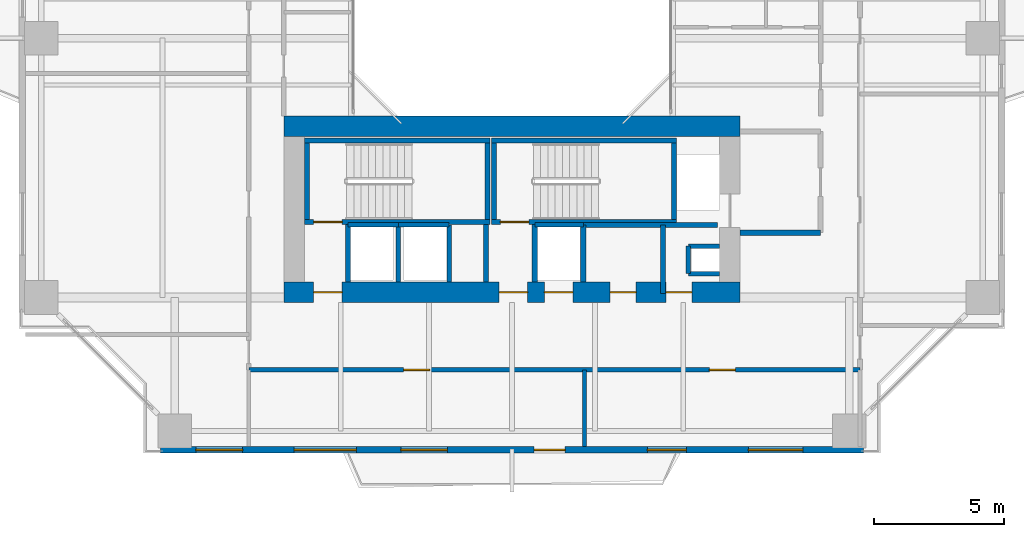
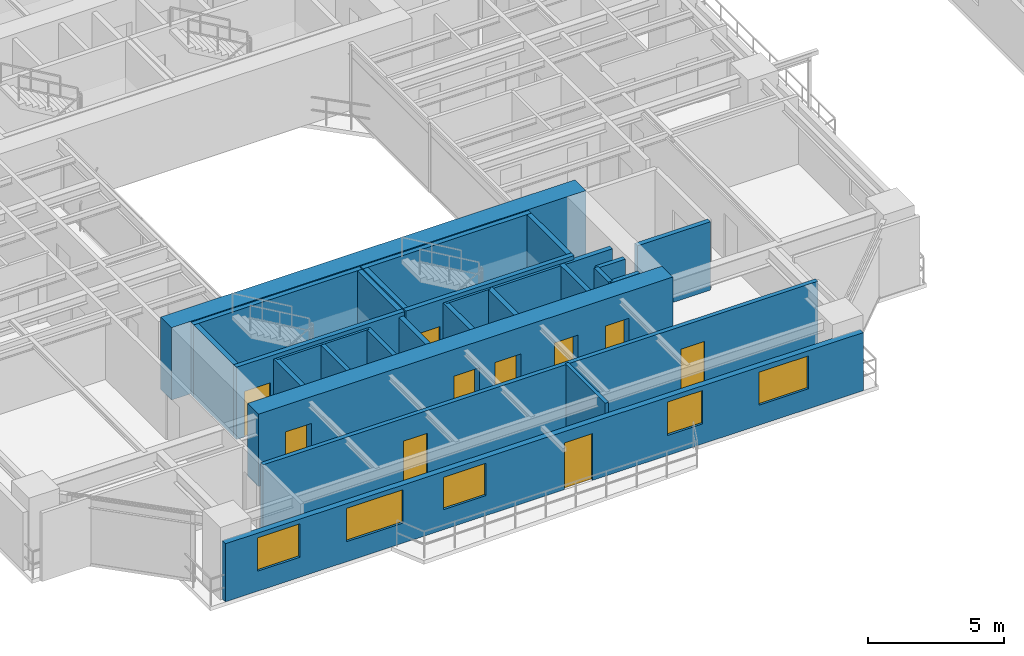
# One storey, part 13 of 23: 28 walls, 10 doors, 5 windows, 15 openings.
"""IFC4 building model written with IfcOpenShell, lengths in metres."""

from ifc_helpers import new_model, si_unit, direction, frame, frame_2d, origin, place, context, subcontext, project, spatial, rectangle, extrude, source, transform, mapped, material, layer, layer_set, type_object, element, fill, save


model = new_model("IFC4")

# Units and contexts
model_context = context("Model", 3, precision=1e-05, world=origin(), true_north=direction((0.0, 1.0)))
body_context = subcontext(model_context, "Body", "Model", "MODEL_VIEW")
ifc_project = project(units=[si_unit("LENGTHUNIT", "METRE"), si_unit("AREAUNIT", "SQUARE_METRE"), si_unit("VOLUMEUNIT", "CUBIC_METRE"), si_unit("PLANEANGLEUNIT", "RADIAN"), si_unit("MASSUNIT", "GRAM", prefix="KILO"), si_unit("THERMODYNAMICTEMPERATUREUNIT", "KELVIN"), si_unit("POWERUNIT", "WATT")], contexts=[model_context])

# Site, building, storey
site_placement = place(None, origin())
site = spatial("IfcSite", under=ifc_project, at=site_placement, CompositionType="ELEMENT")
building_placement = place(site_placement, origin())
building = spatial("IfcBuilding", under=site, at=building_placement, Name="Qiaomeng Ring Towers", CompositionType="ELEMENT")
storey_placement = place(building_placement, frame((0.0, 0.0, 79.5)))
storey = spatial("IfcBuildingStorey", under=building, at=storey_placement, Name="L22", CompositionType="ELEMENT", Elevation=79.5)

# Wall, openings, windows, door
ifc_material_1 = material(Name="Precast concrete C40", Category="concrete")
ifc_layer_1 = layer(ifc_material_1, 0.25, Name="Precast concrete C40")
ifc_layer_set_1 = layer_set([ifc_layer_1], Name="Precast concrete C40")
wall_type_1 = type_object("IfcWallType", Name="ARC-WL-EW1", PredefinedType="STANDARD", material=ifc_layer_set_1)
wall_1_placement = place(storey_placement, frame((5.449951171875, 4.125, 0.0), z_axis=(0.0, 0.0, 1.0), x_axis=(1.0, 0.0, 0.0)))
wall_1 = element("IfcWall", 1, at=wall_1_placement, inside=storey, type_object=wall_type_1, Name="L22 Tower 1 S Exterior Wall", PredefinedType="STANDARD", context=body_context, shape_type="SweptSolid", body=[
    extrude(rectangle(XDim=27.10009765625, YDim=0.25, at=frame_2d((13.550048828125, 0.0))), origin(), (0.0, 0.0, 1.0), 2.610107421875),
])
opening_1_placement = place(wall_1_placement, frame((14.39990234375, 0.0, 0.0)))
opening_1 = element("IfcOpeningElement", 2, at=opening_1_placement, cuts=wall_1, Name="Opening BD1", PredefinedType="OPENING", context=body_context, shape_type="SweptSolid", body=[
    extrude(rectangle(XDim=1.199951171875, YDim=2.10009765625, at=frame_2d((0.60009765625, 1.050048828125))), frame((0.0, 0.135009765625, 0.0), z_axis=(0.0, -1.0, 0.0), x_axis=(1.0, 0.0, 0.0)), (0.0, 0.0, 1.0), 0.27001953125),
])
opening_2_placement = place(wall_1_placement, frame((1.364990234375, 0.0, 0.89990234375)))
opening_2 = element("IfcOpeningElement", 3, at=opening_2_placement, cuts=wall_1, Name="Opening WN1", PredefinedType="OPENING", context=body_context, shape_type="SweptSolid", body=[
    extrude(rectangle(XDim=1.800048828125, YDim=1.5, at=frame_2d((0.89990234375, 0.75))), frame((0.0, 0.135009765625, 0.0), z_axis=(0.0, -1.0, 0.0), x_axis=(1.0, 0.0, 0.0)), (0.0, 0.0, 1.0), 0.27001953125),
])
opening_3_placement = place(wall_1_placement, frame((9.262939453125, 0.0, 0.89990234375)))
opening_3 = element("IfcOpeningElement", 4, at=opening_3_placement, cuts=wall_1, Name="Opening WN1", PredefinedType="OPENING", context=body_context, shape_type="SweptSolid", body=[
    extrude(rectangle(XDim=1.800048828125, YDim=1.449951171875, at=frame_2d((0.89990234375, 0.72509765625))), frame((0.0, 0.135009765625, 0.0), z_axis=(0.0, -1.0, 0.0), x_axis=(1.0, 0.0, 0.0)), (0.0, 0.0, 1.0), 0.27001953125),
])
opening_4_placement = place(wall_1_placement, frame((18.77392578125, 0.0, 0.89990234375)))
opening_4 = element("IfcOpeningElement", 5, at=opening_4_placement, cuts=wall_1, Name="Opening WN2", PredefinedType="OPENING", context=body_context, shape_type="SweptSolid", body=[
    extrude(rectangle(XDim=1.5, YDim=1.5, at=frame_2d((0.75, 0.75))), frame((0.0, 0.135009765625, 0.0), z_axis=(0.0, -1.0, 0.0), x_axis=(1.0, 0.0, 0.0)), (0.0, 0.0, 1.0), 0.27001953125),
])
opening_5_placement = place(wall_1_placement, frame((22.6630859375, 0.0, 0.89990234375)))
opening_5 = element("IfcOpeningElement", 6, at=opening_5_placement, cuts=wall_1, Name="Opening WN4", PredefinedType="OPENING", context=body_context, shape_type="SweptSolid", body=[
    extrude(rectangle(XDim=2.10009765625, YDim=1.47998046875, at=frame_2d((1.050048828125, 0.739990234375))), frame((0.0, 0.135009765625, 0.0), z_axis=(0.0, -1.0, 0.0), x_axis=(1.0, 0.0, 0.0)), (0.0, 0.0, 1.0), 0.27001953125),
])
opening_6_placement = place(wall_1_placement, frame((5.14892578125, 0.0, 0.89990234375)))
opening_6 = element("IfcOpeningElement", 7, at=opening_6_placement, cuts=wall_1, Name="Opening WN6", PredefinedType="OPENING", context=body_context, shape_type="SweptSolid", body=[
    extrude(rectangle(XDim=2.39990234375, YDim=1.5, at=frame_2d((1.199951171875, 0.75))), frame((0.0, 0.135009765625, 0.0), z_axis=(0.0, -1.0, 0.0), x_axis=(1.0, 0.0, 0.0)), (0.0, 0.0, 1.0), 0.27001953125),
])
ifc_material_2 = material(Name="Low-E dark-grey laminated double glazing", Category="glass")
window_type_1 = type_object("IfcWindowType", Name="ARC-WN-4", PartitioningType="TRIPLE_PANEL_VERTICAL", PredefinedType="WINDOW", material=ifc_material_2)
shared_shape_1 = source(origin(), body_context, "Body", "SweptSolid", [
    extrude(rectangle(XDim=2.10009765625, YDim=1.47998046875, at=frame_2d((1.050048828125, 0.739990234375))), frame((0.0, 0.030029296875, 0.0), z_axis=(0.0, -1.0, 0.0), x_axis=(1.0, 0.0, 0.0)), (0.0, 0.0, 1.0), 0.06005859375),
])
window_1_placement = place(opening_5_placement, origin())
window_1 = element("IfcWindow", 8, at=window_1_placement, inside=storey, type_object=window_type_1, Name="L22 Exterior Window WN4", OverallHeight=1.47998046875, OverallWidth=2.10009765625, PartitioningType="TRIPLE_PANEL_VERTICAL", PredefinedType="WINDOW", context=body_context, shape_type="MappedRepresentation", body=[
    mapped(shared_shape_1, transform((0.0, 0.0, 0.0), x_axis=(1.0, 0.0, 0.0), y_axis=(0.0, 1.0, 0.0), z_axis=(0.0, 0.0, 1.0), scale=1.0)),
])
fill(opening_5, window_1)
window_type_2 = type_object("IfcWindowType", Name="ARC-WN-1", PartitioningType="DOUBLE_PANEL_VERTICAL", PredefinedType="WINDOW", material=ifc_material_2)
shared_shape_2 = source(origin(), body_context, "Body", "SweptSolid", [
    extrude(rectangle(XDim=1.800048828125, YDim=1.449951171875, at=frame_2d((0.89990234375, 0.72509765625))), frame((0.0, 0.030029296875, 0.0), z_axis=(0.0, -1.0, 0.0), x_axis=(1.0, 0.0, 0.0)), (0.0, 0.0, 1.0), 0.06005859375),
])
window_2_placement = place(opening_3_placement, origin())
window_2 = element("IfcWindow", 9, at=window_2_placement, inside=storey, type_object=window_type_2, Name="L22 Exterior Window WN1", OverallHeight=1.449951171875, OverallWidth=1.800048828125, PartitioningType="DOUBLE_PANEL_VERTICAL", PredefinedType="WINDOW", context=body_context, shape_type="MappedRepresentation", body=[
    mapped(shared_shape_2, transform((0.0, 0.0, 0.0), x_axis=(1.0, 0.0, 0.0), y_axis=(0.0, 1.0, 0.0), z_axis=(0.0, 0.0, 1.0), scale=1.0)),
])
fill(opening_3, window_2)
door_type_1 = type_object("IfcDoorType", Name="ARC-DR-BD1", OperationType="NOTDEFINED", PredefinedType="DOOR", material=ifc_material_2)
shared_shape_3 = source(origin(), body_context, "Body", "SweptSolid", [
    extrude(rectangle(XDim=1.199951171875, YDim=2.10009765625, at=frame_2d((0.60009765625, 1.050048828125))), frame((0.0, 0.02490234375, 0.0), z_axis=(0.0, -1.0, 0.0), x_axis=(1.0, 0.0, 0.0)), (0.0, 0.0, 1.0), 0.050048828125),
])
door_1_placement = place(opening_1_placement, frame((1.199951171875, 0.0, 0.0), z_axis=(0.0, 0.0, 1.0), x_axis=(-1.0, 0.0, 0.0)))
door_1 = element("IfcDoor", 10, at=door_1_placement, inside=storey, type_object=door_type_1, Name="L22 S Balcony Glazed Door", OperationType="SINGLE_SWING_LEFT", OverallHeight=2.10009765625, OverallWidth=1.199951171875, PredefinedType="DOOR", context=body_context, shape_type="MappedRepresentation", body=[
    mapped(shared_shape_3, transform((0.0, 0.0, 0.0), x_axis=(1.0, 0.0, 0.0), y_axis=(0.0, 1.0, 0.0), z_axis=(0.0, 0.0, 1.0), scale=1.0)),
])
fill(opening_1, door_1)
window_type_3 = type_object("IfcWindowType", Name="ARC-WN-2", PartitioningType="DOUBLE_PANEL_VERTICAL", PredefinedType="WINDOW", material=ifc_material_2)
shared_shape_4 = source(origin(), body_context, "Body", "SweptSolid", [
    extrude(rectangle(XDim=1.5, YDim=1.5, at=frame_2d((0.75, 0.75))), frame((0.0, 0.030029296875, 0.0), z_axis=(0.0, -1.0, 0.0), x_axis=(1.0, 0.0, 0.0)), (0.0, 0.0, 1.0), 0.06005859375),
])
window_3_placement = place(opening_4_placement, origin())
window_3 = element("IfcWindow", 11, at=window_3_placement, inside=storey, type_object=window_type_3, Name="L22 Exterior Window WN2", OverallHeight=1.5, OverallWidth=1.5, PartitioningType="DOUBLE_PANEL_VERTICAL", PredefinedType="WINDOW", context=body_context, shape_type="MappedRepresentation", body=[
    mapped(shared_shape_4, transform((0.0, 0.0, 0.0), x_axis=(1.0, 0.0, 0.0), y_axis=(0.0, 1.0, 0.0), z_axis=(0.0, 0.0, 1.0), scale=1.0)),
])
fill(opening_4, window_3)
window_type_4 = type_object("IfcWindowType", Name="ARC-WN-6", PartitioningType="TRIPLE_PANEL_VERTICAL", PredefinedType="WINDOW", material=ifc_material_2)
shared_shape_5 = source(origin(), body_context, "Body", "SweptSolid", [
    extrude(rectangle(XDim=2.39990234375, YDim=1.5, at=frame_2d((1.199951171875, 0.75))), frame((0.0, 0.030029296875, 0.0), z_axis=(0.0, -1.0, 0.0), x_axis=(1.0, 0.0, 0.0)), (0.0, 0.0, 1.0), 0.06005859375),
])
window_4_placement = place(opening_6_placement, origin())
window_4 = element("IfcWindow", 12, at=window_4_placement, inside=storey, type_object=window_type_4, Name="L22 Exterior Window WN6", OverallHeight=1.5, OverallWidth=2.39990234375, PartitioningType="TRIPLE_PANEL_VERTICAL", PredefinedType="WINDOW", context=body_context, shape_type="MappedRepresentation", body=[
    mapped(shared_shape_5, transform((0.0, 0.0, 0.0), x_axis=(1.0, 0.0, 0.0), y_axis=(0.0, 1.0, 0.0), z_axis=(0.0, 0.0, 1.0), scale=1.0)),
])
fill(opening_6, window_4)
shared_shape_6 = source(origin(), body_context, "Body", "SweptSolid", [
    extrude(rectangle(XDim=1.800048828125, YDim=1.5, at=frame_2d((0.89990234375, 0.75))), frame((0.0, 0.030029296875, 0.0), z_axis=(0.0, -1.0, 0.0), x_axis=(1.0, 0.0, 0.0)), (0.0, 0.0, 1.0), 0.06005859375),
])
window_5_placement = place(opening_2_placement, origin())
window_5 = element("IfcWindow", 13, at=window_5_placement, inside=storey, type_object=window_type_2, Name="L22 Exterior Window WN6", OverallHeight=1.5, OverallWidth=1.800048828125, PartitioningType="TRIPLE_PANEL_VERTICAL", PredefinedType="WINDOW", context=body_context, shape_type="MappedRepresentation", body=[
    mapped(shared_shape_6, transform((0.0, 0.0, 0.0), x_axis=(1.0, 0.0, 0.0), y_axis=(0.0, 1.0, 0.0), z_axis=(0.0, 0.0, 1.0), scale=1.0)),
])
fill(opening_2, window_5)

# Walls
ifc_material_3 = material(Name="Autoclaved aerated concrete block", Category="concrete")
ifc_layer_2 = layer(ifc_material_3, 0.199951171875, Name="Autoclaved aerated concrete block")
ifc_layer_set_2 = layer_set([ifc_layer_2], Name="Autoclaved aerated concrete block")
wall_type_2 = type_object("IfcWallType", Name="ARC-WL-PW1", PredefinedType="PARTITIONING", material=ifc_layer_set_2)
wall_2_placement = place(storey_placement, frame((27.800048828125, 12.5, 0.0), z_axis=(0.0, 0.0, 1.0), x_axis=(1.0, 0.0, 0.0)))
element("IfcWall", 14, at=wall_2_placement, inside=storey, type_object=wall_type_2, Name="L22 Interior Wall PW1", PredefinedType="PARTITIONING", context=body_context, shape_type="SweptSolid", body=[
    extrude(rectangle(XDim=3.099853515625, YDim=0.199951171875, at=frame_2d((1.5498046875, 0.0))), origin(), (0.0, 0.0, 1.0), 3.070068359375),
])
for number, where, z_axis, x_axis, name in (
    (15, (12.679931640625, 10.60009765625, 0.0), (0.0, 0.0, 1.0), (0.0, 1.0, 0.0), "L22 Interior Wall PW1"),
    (16, (18.0, 10.60009765625, 0.0), (0.0, 0.0, 1.0), (0.0, 1.0, 0.0), "L22 Interior Wall PW1"),
    (17, (19.8798828125, 10.60009765625, 0.0), (0.0, 0.0, 1.0), (0.0, 1.0, 0.0), "L22 Interior Wall PW1"),
):
    element("IfcWall", number, at=place(storey_placement, frame(where, z_axis=z_axis, x_axis=x_axis)), inside=storey, type_object=wall_type_2, Name=name, PredefinedType="PARTITIONING", context=body_context, shape_type="SweptSolid", body=[
        extrude(rectangle(XDim=2.2099609375, YDim=0.199951171875, at=frame_2d((1.10498046875, 0.0))), origin(), (0.0, 0.0, 1.0), 3.070068359375),
    ])
wall_3_placement = place(storey_placement, frame((24.820068359375, 10.14990234375, 0.0), z_axis=(0.0, 0.0, 1.0), x_axis=(0.0, 1.0, 0.0)))
element("IfcWall", 18, at=wall_3_placement, inside=storey, type_object=wall_type_2, Name="L22 Interior Wall PW1", PredefinedType="PARTITIONING", context=body_context, shape_type="SweptSolid", body=[
    extrude(rectangle(XDim=2.650146484375, YDim=0.199951171875, at=frame_2d((1.3251953125, 0.0))), origin(), (0.0, 0.0, 1.0), 3.070068359375),
])
wall_4_placement = place(storey_placement, frame((21.75, 10.60009765625, 0.0), z_axis=(0.0, 0.0, 1.0), x_axis=(0.0, 1.0, 0.0)))
element("IfcWall", 19, at=wall_4_placement, inside=storey, type_object=wall_type_2, Name="L22 Interior Wall PW1", PredefinedType="PARTITIONING", context=body_context, shape_type="SweptSolid", body=[
    extrude(rectangle(XDim=2.199951171875, YDim=0.199951171875, at=frame_2d((1.10009765625, 0.0))), origin(), (0.0, 0.0, 1.0), 3.070068359375),
])
wall_5_placement = place(storey_placement, frame((21.75, 12.800048828125, 0.0), z_axis=(0.0, 0.0, 1.0), x_axis=(1.0, 0.0, 0.0)))
element("IfcWall", 20, at=wall_5_placement, inside=storey, type_object=wall_type_2, Name="L22 Interior Wall PW1", PredefinedType="PARTITIONING", context=body_context, shape_type="SweptSolid", body=[
    extrude(rectangle(XDim=5.169921875, YDim=0.199951171875, at=frame_2d((2.5849609375, 0.0))), origin(), (0.0, 0.0, 1.0), 3.070068359375),
])

# Wall, openings, doors
ifc_layer_3 = layer(ifc_material_3, 0.179931640625, Name="Autoclaved aerated concrete block")
ifc_layer_set_3 = layer_set([ifc_layer_3], Name="Autoclaved aerated concrete block")
wall_type_3 = type_object("IfcWallType", Name="ARC-WL-PW2", PredefinedType="PARTITIONING", material=ifc_layer_set_3)
wall_6_placement = place(storey_placement, frame((8.85009765625, 7.2099609375, 0.0), z_axis=(0.0, 0.0, 1.0), x_axis=(1.0, 0.0, 0.0)))
wall_6 = element("IfcWall", 21, at=wall_6_placement, inside=storey, type_object=wall_type_3, Name="L22 Interior Wall PW2", PredefinedType="PARTITIONING", context=body_context, shape_type="SweptSolid", body=[
    extrude(rectangle(XDim=23.56982421875, YDim=0.179931640625, at=frame_2d((11.784912109375, 0.0))), origin(), (0.0, 0.0, 1.0), 3.070068359375),
])
opening_7_placement = place(wall_6_placement, frame((5.97509765625, 0.0, 0.0)))
opening_7 = element("IfcOpeningElement", 22, at=opening_7_placement, cuts=wall_6, Name="Opening FD4", PredefinedType="OPENING", context=body_context, shape_type="SweptSolid", body=[
    extrude(rectangle(XDim=1.0, YDim=2.050048828125, at=frame_2d((0.5, 1.02490234375))), frame((0.0, 0.099853515625, 0.0), z_axis=(0.0, -1.0, 0.0), x_axis=(1.0, 0.0, 0.0)), (0.0, 0.0, 1.0), 0.199951171875),
])
opening_8_placement = place(wall_6_placement, frame((17.760009765625, 0.0, 0.0)))
opening_8 = element("IfcOpeningElement", 23, at=opening_8_placement, cuts=wall_6, Name="Opening FD4", PredefinedType="OPENING", context=body_context, shape_type="SweptSolid", body=[
    extrude(rectangle(XDim=1.0, YDim=2.050048828125, at=frame_2d((0.5, 1.02490234375))), frame((0.0, 0.099853515625, 0.0), z_axis=(0.0, -1.0, 0.0), x_axis=(1.0, 0.0, 0.0)), (0.0, 0.0, 1.0), 0.199951171875),
])
ifc_material_4 = material(Name="Engineered fire-rated oak timber", Category="wood")
door_type_2 = type_object("IfcDoorType", Name="ARC-DR-FD4", OperationType="NOTDEFINED", PredefinedType="DOOR", material=ifc_material_4)
shared_shape_7 = source(origin(), body_context, "Body", "SweptSolid", [
    extrude(rectangle(XDim=1.0, YDim=2.050048828125, at=frame_2d((0.5, 1.02490234375))), frame((0.0, 0.02490234375, 0.0), z_axis=(0.0, -1.0, 0.0), x_axis=(1.0, 0.0, 0.0)), (0.0, 0.0, 1.0), 0.050048828125),
])
door_2_placement = place(opening_7_placement, origin())
door_2 = element("IfcDoor", 24, at=door_2_placement, inside=storey, type_object=door_type_2, Name="L22 Door FD4", OperationType="SINGLE_SWING_LEFT", OverallHeight=2.050048828125, OverallWidth=1.0, PredefinedType="DOOR", context=body_context, shape_type="MappedRepresentation", body=[
    mapped(shared_shape_7, transform((0.0, 0.0, 0.0), x_axis=(1.0, 0.0, 0.0), y_axis=(0.0, 1.0, 0.0), z_axis=(0.0, 0.0, 1.0), scale=1.0)),
])
fill(opening_7, door_2)
door_3_placement = place(opening_8_placement, origin())
door_3 = element("IfcDoor", 25, at=door_3_placement, inside=storey, type_object=door_type_2, Name="L22 Door FD4", OperationType="SINGLE_SWING_RIGHT", OverallHeight=2.050048828125, OverallWidth=1.0, PredefinedType="DOOR", context=body_context, shape_type="MappedRepresentation", body=[
    mapped(shared_shape_7, transform((0.0, 0.0, 0.0), x_axis=(1.0, 0.0, 0.0), y_axis=(0.0, 1.0, 0.0), z_axis=(0.0, 0.0, 1.0), scale=1.0)),
])
fill(opening_8, door_3)

# Walls
ifc_material_5 = material(Name="Gypsum fireboard steel-stud partition", Category="steel")
ifc_layer_4 = layer(ifc_material_5, 0.14990234375, Name="Gypsum fireboard steel-stud partition")
ifc_layer_set_4 = layer_set([ifc_layer_4], Name="Gypsum fireboard steel-stud partition")
wall_type_4 = type_object("IfcWallType", Name="ARC-WL-PW3", PredefinedType="PARTITIONING", material=ifc_layer_set_4)
wall_7_placement = place(storey_placement, frame((21.800048828125, 4.25, 0.0), z_axis=(0.0, 0.0, 1.0), x_axis=(0.0, 1.0, 0.0)))
element("IfcWall", 26, at=wall_7_placement, inside=storey, type_object=wall_type_4, Name="L22 Interior Wall PW3", PredefinedType="PARTITIONING", context=body_context, shape_type="SweptSolid", body=[
    extrude(rectangle(XDim=2.9599609375, YDim=0.14990234375, at=frame_2d((1.47998046875, 0.0))), origin(), (0.0, 0.0, 1.0), 3.070068359375),
])
ifc_material_6 = material(Name="Concrete C40", Category="concrete")
ifc_layer_5 = layer(ifc_material_6, 0.199951171875, Name="Concrete C40")
ifc_layer_set_5 = layer_set([ifc_layer_5], Name="Concrete C40")
wall_type_5 = type_object("IfcWallType", Name="STR-WL-STSHAFT", PredefinedType="SHEAR", material=ifc_layer_set_5)
wall_8_placement = place(storey_placement, frame((12.679931640625, 12.800048828125, 0.0), z_axis=(0.0, 0.0, 1.0), x_axis=(1.0, 0.0, 0.0)))
element("IfcWall", 27, at=wall_8_placement, inside=storey, type_object=wall_type_5, Name="L22 Lift LP6 Shaft Back Wall", PredefinedType="SHEAR", context=body_context, shape_type="SweptSolid", body=[
    extrude(rectangle(XDim=1.940185546875, YDim=0.179931640625, at=frame_2d((0.97021484375, 0.0))), origin(), (0.0, 0.0, 1.0), 3.070068359375),
])
wall_9_placement = place(storey_placement, frame((14.6201171875, 10.60009765625, 0.0), z_axis=(0.0, 0.0, 1.0), x_axis=(0.0, 1.0, 0.0)))
element("IfcWall", 28, at=wall_9_placement, inside=storey, type_object=wall_type_5, Name="L22 Lift LP6-LP4 Shaft Divider Wall", PredefinedType="SHEAR", context=body_context, shape_type="SweptSolid", body=[
    extrude(rectangle(XDim=2.199951171875, YDim=0.179931640625, at=frame_2d((1.10009765625, 0.0))), origin(), (0.0, 0.0, 1.0), 3.070068359375),
])
wall_10_placement = place(storey_placement, frame((25.800048828125, 10.919921875, 0.0), z_axis=(0.0, 0.0, 1.0), x_axis=(0.0, 1.0, 0.0)))
element("IfcWall", 29, at=wall_10_placement, inside=storey, type_object=wall_type_5, Name="L22 Riser RSR1 West Shaft Wall S", PredefinedType="SHEAR", context=body_context, shape_type="SweptSolid", body=[
    extrude(rectangle(XDim=1.06005859375, YDim=0.179931640625, at=frame_2d((0.530029296875, 0.0))), origin(), (0.0, 0.0, 1.0), 3.070068359375),
])
for number, where, z_axis, x_axis, name in (
    (30, (25.800048828125, 11.97998046875, 0.0), (0.0, 0.0, 1.0), (1.0, 0.0, 0.0), "L22 Riser RSR1 North Shaft Wall S"),
    (31, (25.800048828125, 10.919921875, 0.0), (0.0, 0.0, 1.0), (1.0, 0.0, 0.0), "L22 Riser RSR1 South Shaft Wall S"),
):
    element("IfcWall", number, at=place(storey_placement, frame(where, z_axis=z_axis, x_axis=x_axis)), inside=storey, type_object=wall_type_5, Name=name, PredefinedType="SHEAR", context=body_context, shape_type="SweptSolid", body=[
        extrude(rectangle(XDim=1.199951171875, YDim=0.179931640625, at=frame_2d((0.60009765625, 0.0))), origin(), (0.0, 0.0, 1.0), 3.070068359375),
    ])
wall_11_placement = place(storey_placement, frame((14.6201171875, 12.800048828125, 0.0), z_axis=(0.0, 0.0, 1.0), x_axis=(1.0, 0.0, 0.0)))
element("IfcWall", 32, at=wall_11_placement, inside=storey, type_object=wall_type_5, Name="L22 Lift LP4 Shaft Back Wall", PredefinedType="SHEAR", context=body_context, shape_type="SweptSolid", body=[
    extrude(rectangle(XDim=1.9599609375, YDim=0.179931640625, at=frame_2d((0.97998046875, 0.0))), origin(), (0.0, 0.0, 1.0), 3.070068359375),
])
wall_12_placement = place(storey_placement, frame((16.580078125, 10.60009765625, 0.0), z_axis=(0.0, 0.0, 1.0), x_axis=(0.0, 1.0, 0.0)))
element("IfcWall", 33, at=wall_12_placement, inside=storey, type_object=wall_type_5, Name="L22 Lift LP4 East Shaft Wall", PredefinedType="SHEAR", context=body_context, shape_type="SweptSolid", body=[
    extrude(rectangle(XDim=2.199951171875, YDim=0.179931640625, at=frame_2d((1.10009765625, 0.0))), origin(), (0.0, 0.0, 1.0), 3.070068359375),
])
wall_13_placement = place(storey_placement, frame((19.8798828125, 12.800048828125, 0.0), z_axis=(0.0, 0.0, 1.0), x_axis=(1.0, 0.0, 0.0)))
element("IfcWall", 34, at=wall_13_placement, inside=storey, type_object=wall_type_5, Name="L22 Lift LP2 Shaft Back Wall", PredefinedType="SHEAR", context=body_context, shape_type="SweptSolid", body=[
    extrude(rectangle(XDim=1.8701171875, YDim=0.179931640625, at=frame_2d((0.93505859375, 0.0))), origin(), (0.0, 0.0, 1.0), 3.070068359375),
])

# Wall, opening, door
wall_14_placement = place(storey_placement, frame((11.0, 12.909912109375, 0.0), z_axis=(0.0, 0.0, 1.0), x_axis=(1.0, 0.0, 0.0)))
wall_14 = element("IfcWall", 35, at=wall_14_placement, inside=storey, type_object=wall_type_5, Name="L22 Stair ST3 South Shaft Shear Wall", PredefinedType="SHEAR", context=body_context, shape_type="SweptSolid", body=[
    extrude(rectangle(XDim=7.14990234375, YDim=0.199951171875, at=frame_2d((3.574951171875, 0.0))), origin(), (0.0, 0.0, 1.0), 3.25),
])
opening_9_placement = place(wall_14_placement, frame((0.35009765625, 0.0, 0.0)))
opening_9 = element("IfcOpeningElement", 36, at=opening_9_placement, cuts=wall_14, Name="Opening FD3", PredefinedType="OPENING", context=body_context, shape_type="SweptSolid", body=[
    extrude(rectangle(XDim=1.10009765625, YDim=2.050048828125, at=frame_2d((0.550048828125, 1.02490234375))), frame((0.0, 0.10986328125, 0.0), z_axis=(0.0, -1.0, 0.0), x_axis=(1.0, 0.0, 0.0)), (0.0, 0.0, 1.0), 0.219970703125),
])
ifc_material_7 = material(Name="Galvanised steel", Category="steel")
door_type_3 = type_object("IfcDoorType", Name="ARC-DR-FD3", OperationType="NOTDEFINED", PredefinedType="DOOR", material=ifc_material_7)
shared_shape_8 = source(origin(), body_context, "Body", "SweptSolid", [
    extrude(rectangle(XDim=1.10009765625, YDim=2.050048828125, at=frame_2d((0.550048828125, 1.02490234375))), frame((0.0, 0.02490234375, 0.0), z_axis=(0.0, -1.0, 0.0), x_axis=(1.0, 0.0, 0.0)), (0.0, 0.0, 1.0), 0.050048828125),
])
door_4_placement = place(opening_9_placement, frame((1.10009765625, 0.0, 0.0), z_axis=(0.0, 0.0, 1.0), x_axis=(-1.0, 0.0, 0.0)))
door_4 = element("IfcDoor", 37, at=door_4_placement, inside=storey, type_object=door_type_3, Name="L22 Stair ST3 Exit Door", OperationType="SINGLE_SWING_LEFT", OverallHeight=2.050048828125, OverallWidth=1.10009765625, PredefinedType="DOOR", context=body_context, shape_type="MappedRepresentation", body=[
    mapped(shared_shape_8, transform((0.0, 0.0, 0.0), x_axis=(1.0, 0.0, 0.0), y_axis=(0.0, 1.0, 0.0), z_axis=(0.0, 0.0, 1.0), scale=1.0)),
])
fill(opening_9, door_4)

# Walls
wall_15_placement = place(storey_placement, frame((11.0, 16.050048828125, 0.0), z_axis=(0.0, 0.0, 1.0), x_axis=(1.0, 0.0, 0.0)))
element("IfcWall", 38, at=wall_15_placement, inside=storey, type_object=wall_type_5, Name="L22 Stair ST3 North Shaft Shear Wall", PredefinedType="SHEAR", context=body_context, shape_type="SweptSolid", body=[
    extrude(rectangle(XDim=7.14990234375, YDim=0.199951171875, at=frame_2d((3.574951171875, 0.0))), origin(), (0.0, 0.0, 1.0), 3.25),
])
for number, where, z_axis, x_axis, name in (
    (39, (11.10009765625, 13.010009765625, 0.0), (0.0, 0.0, 1.0), (0.0, 1.0, 0.0), "L22 Stair ST3 West Shaft Shear Wall"),
    (40, (18.050048828125, 13.010009765625, 0.0), (0.0, 0.0, 1.0), (0.0, 1.0, 0.0), "L22 Stair ST3 East Shaft Shear Wall"),
):
    element("IfcWall", number, at=place(storey_placement, frame(where, z_axis=z_axis, x_axis=x_axis)), inside=storey, type_object=wall_type_5, Name=name, PredefinedType="SHEAR", context=body_context, shape_type="SweptSolid", body=[
        extrude(rectangle(XDim=2.93994140625, YDim=0.199951171875, at=frame_2d((1.469970703125, 0.0))), origin(), (0.0, 0.0, 1.0), 3.25),
    ])

# Wall, opening, door
wall_16_placement = place(storey_placement, frame((18.199951171875, 12.909912109375, 0.0), z_axis=(0.0, 0.0, 1.0), x_axis=(1.0, 0.0, 0.0)))
wall_16 = element("IfcWall", 41, at=wall_16_placement, inside=storey, type_object=wall_type_5, Name="L22 Stair ST4 South Shaft Shear Wall", PredefinedType="SHEAR", context=body_context, shape_type="SweptSolid", body=[
    extrude(rectangle(XDim=7.150146484375, YDim=0.199951171875, at=frame_2d((3.5751953125, 0.0))), origin(), (0.0, 0.0, 1.0), 3.25),
])
opening_10_placement = place(wall_16_placement, frame((0.35009765625, 0.0, 0.0)))
opening_10 = element("IfcOpeningElement", 42, at=opening_10_placement, cuts=wall_16, Name="Opening FD3", PredefinedType="OPENING", context=body_context, shape_type="SweptSolid", body=[
    extrude(rectangle(XDim=1.10009765625, YDim=2.050048828125, at=frame_2d((0.550048828125, 1.02490234375))), frame((0.0, 0.10986328125, 0.0), z_axis=(0.0, -1.0, 0.0), x_axis=(1.0, 0.0, 0.0)), (0.0, 0.0, 1.0), 0.219970703125),
])
door_5_placement = place(opening_10_placement, frame((1.10009765625, 0.0, 0.0), z_axis=(0.0, 0.0, 1.0), x_axis=(-1.0, 0.0, 0.0)))
door_5 = element("IfcDoor", 43, at=door_5_placement, inside=storey, type_object=door_type_3, Name="L22 Stair ST4 Exit Door", OperationType="SINGLE_SWING_LEFT", OverallHeight=2.050048828125, OverallWidth=1.10009765625, PredefinedType="DOOR", context=body_context, shape_type="MappedRepresentation", body=[
    mapped(shared_shape_8, transform((0.0, 0.0, 0.0), x_axis=(1.0, 0.0, 0.0), y_axis=(0.0, 1.0, 0.0), z_axis=(0.0, 0.0, 1.0), scale=1.0)),
])
fill(opening_10, door_5)

# Walls
wall_17_placement = place(storey_placement, frame((18.199951171875, 16.050048828125, 0.0), z_axis=(0.0, 0.0, 1.0), x_axis=(1.0, 0.0, 0.0)))
element("IfcWall", 44, at=wall_17_placement, inside=storey, type_object=wall_type_5, Name="L22 Stair ST4 North Shaft Shear Wall", PredefinedType="SHEAR", context=body_context, shape_type="SweptSolid", body=[
    extrude(rectangle(XDim=7.150146484375, YDim=0.199951171875, at=frame_2d((3.5751953125, 0.0))), origin(), (0.0, 0.0, 1.0), 3.25),
])
for number, where, z_axis, x_axis, name in (
    (45, (18.300048828125, 13.010009765625, 0.0), (0.0, 0.0, 1.0), (0.0, 1.0, 0.0), "L22 Stair ST4 West Shaft Shear Wall"),
    (46, (25.25, 13.010009765625, 0.0), (0.0, 0.0, 1.0), (0.0, 1.0, 0.0), "L22 Stair ST4 East Shaft Shear Wall"),
):
    element("IfcWall", number, at=place(storey_placement, frame(where, z_axis=z_axis, x_axis=x_axis)), inside=storey, type_object=wall_type_5, Name=name, PredefinedType="SHEAR", context=body_context, shape_type="SweptSolid", body=[
        extrude(rectangle(XDim=2.93994140625, YDim=0.199951171875, at=frame_2d((1.469970703125, 0.0))), origin(), (0.0, 0.0, 1.0), 3.25),
    ])

# Wall, openings, doors
ifc_material_8 = material(Name="Concrete C60", Category="concrete")
ifc_layer_6 = layer(ifc_material_8, 0.800048828125, Name="Concrete C60")
ifc_layer_set_6 = layer_set([ifc_layer_6], Name="Concrete C60")
wall_type_6 = type_object("IfcWallType", Name="STR-WL-SW1", PredefinedType="SHEAR", material=ifc_layer_set_6)
wall_18_placement = place(storey_placement, frame((10.199951171875, 10.199951171875, 0.0), z_axis=(0.0, 0.0, 1.0), x_axis=(1.0, 0.0, 0.0)))
wall_18 = element("IfcWall", 47, at=wall_18_placement, inside=storey, type_object=wall_type_6, Name="L22 T1SC south core shear wall", PredefinedType="SHEAR", context=body_context, shape_type="SweptSolid", body=[
    extrude(rectangle(XDim=17.60009765625, YDim=0.800048828125, at=frame_2d((8.800048828125, 0.0))), origin(), (0.0, 0.0, 1.0), 3.25),
])
opening_11_placement = place(wall_18_placement, frame((1.14990234375, 0.0, 0.0)))
opening_11 = element("IfcOpeningElement", 48, at=opening_11_placement, cuts=wall_18, Name="Opening FD3", PredefinedType="OPENING", context=body_context, shape_type="SweptSolid", body=[
    extrude(rectangle(XDim=1.10009765625, YDim=2.050048828125, at=frame_2d((0.550048828125, 1.02490234375))), frame((0.0, 0.409912109375, 0.0), z_axis=(0.0, -1.0, 0.0), x_axis=(1.0, 0.0, 0.0)), (0.0, 0.0, 1.0), 0.820068359375),
])
opening_12_placement = place(wall_18_placement, frame((8.300048828125, 0.0, 0.0)))
opening_12 = element("IfcOpeningElement", 49, at=opening_12_placement, cuts=wall_18, Name="Opening FD3", PredefinedType="OPENING", context=body_context, shape_type="SweptSolid", body=[
    extrude(rectangle(XDim=1.10009765625, YDim=2.050048828125, at=frame_2d((0.550048828125, 1.02490234375))), frame((0.0, 0.409912109375, 0.0), z_axis=(0.0, -1.0, 0.0), x_axis=(1.0, 0.0, 0.0)), (0.0, 0.0, 1.0), 0.820068359375),
])
opening_13_placement = place(wall_18_placement, frame((10.050048828125, 0.0, 0.0)))
opening_13 = element("IfcOpeningElement", 50, at=opening_13_placement, cuts=wall_18, Name="Opening LD1", PredefinedType="OPENING", context=body_context, shape_type="SweptSolid", body=[
    extrude(rectangle(XDim=1.10009765625, YDim=2.050048828125, at=frame_2d((0.550048828125, 1.02490234375))), frame((0.0, 0.409912109375, 0.0), z_axis=(0.0, -1.0, 0.0), x_axis=(1.0, 0.0, 0.0)), (0.0, 0.0, 1.0), 0.820068359375),
])
opening_14_placement = place(wall_18_placement, frame((14.739990234375, 0.0, 0.0)))
opening_14 = element("IfcOpeningElement", 51, at=opening_14_placement, cuts=wall_18, Name="Opening FD1", PredefinedType="OPENING", context=body_context, shape_type="SweptSolid", body=[
    extrude(rectangle(XDim=1.0, YDim=2.050048828125, at=frame_2d((0.5, 1.02490234375))), frame((0.0, 0.409912109375, 0.0), z_axis=(0.0, -1.0, 0.0), x_axis=(1.0, 0.0, 0.0)), (0.0, 0.0, 1.0), 0.820068359375),
])
opening_15_placement = place(wall_18_placement, frame((12.5849609375, 0.0, 0.0)))
opening_15 = element("IfcOpeningElement", 52, at=opening_15_placement, cuts=wall_18, Name="Opening FD1", PredefinedType="OPENING", context=body_context, shape_type="SweptSolid", body=[
    extrude(rectangle(XDim=1.0, YDim=2.050048828125, at=frame_2d((0.5, 1.02490234375))), frame((0.0, 0.409912109375, 0.0), z_axis=(0.0, -1.0, 0.0), x_axis=(1.0, 0.0, 0.0)), (0.0, 0.0, 1.0), 0.820068359375),
])
door_6_placement = place(opening_11_placement, origin())
door_6 = element("IfcDoor", 53, at=door_6_placement, inside=storey, type_object=door_type_3, Name="L22 Stair ST3 Lobby Door", OperationType="SINGLE_SWING_RIGHT", OverallHeight=2.050048828125, OverallWidth=1.10009765625, PredefinedType="DOOR", context=body_context, shape_type="MappedRepresentation", body=[
    mapped(shared_shape_8, transform((0.0, 0.0, 0.0), x_axis=(1.0, 0.0, 0.0), y_axis=(0.0, 1.0, 0.0), z_axis=(0.0, 0.0, 1.0), scale=1.0)),
])
fill(opening_11, door_6)
door_7_placement = place(opening_12_placement, origin())
door_7 = element("IfcDoor", 54, at=door_7_placement, inside=storey, type_object=door_type_3, Name="L22 Stair ST4 Lobby Door", OperationType="SINGLE_SWING_RIGHT", OverallHeight=2.050048828125, OverallWidth=1.10009765625, PredefinedType="DOOR", context=body_context, shape_type="MappedRepresentation", body=[
    mapped(shared_shape_8, transform((0.0, 0.0, 0.0), x_axis=(1.0, 0.0, 0.0), y_axis=(0.0, 1.0, 0.0), z_axis=(0.0, 0.0, 1.0), scale=1.0)),
])
fill(opening_12, door_7)
ifc_material_9 = material(Name="Stainless steel 316", Category="steel")
door_type_4 = type_object("IfcDoorType", Name="ARC-DR-LD1", OperationType="NOTDEFINED", PredefinedType="DOOR", material=ifc_material_9)
door_8_placement = place(opening_13_placement, origin())
door_8 = element("IfcDoor", 55, at=door_8_placement, inside=storey, type_object=door_type_4, Name="L22 Low-Zone Lift LP2 Landing Door", OperationType="SLIDING_TO_RIGHT", OverallHeight=2.050048828125, OverallWidth=1.10009765625, PredefinedType="DOOR", context=body_context, shape_type="MappedRepresentation", body=[
    mapped(shared_shape_8, transform((0.0, 0.0, 0.0), x_axis=(1.0, 0.0, 0.0), y_axis=(0.0, 1.0, 0.0), z_axis=(0.0, 0.0, 1.0), scale=1.0)),
])
fill(opening_13, door_8)
door_type_5 = type_object("IfcDoorType", Name="ARC-DR-FD1", OperationType="NOTDEFINED", PredefinedType="DOOR", material=ifc_material_7)
door_9_placement = place(opening_14_placement, origin())
door_9 = element("IfcDoor", 56, at=door_9_placement, inside=storey, type_object=door_type_5, Name="L22 South Electrical Riser Door", OperationType="SINGLE_SWING_LEFT", OverallHeight=2.050048828125, OverallWidth=1.0, PredefinedType="DOOR", context=body_context, shape_type="MappedRepresentation", body=[
    mapped(shared_shape_7, transform((0.0, 0.0, 0.0), x_axis=(1.0, 0.0, 0.0), y_axis=(0.0, 1.0, 0.0), z_axis=(0.0, 0.0, 1.0), scale=1.0)),
])
fill(opening_14, door_9)
door_10_placement = place(opening_15_placement, origin())
door_10 = element("IfcDoor", 57, at=door_10_placement, inside=storey, type_object=door_type_5, Name="L22 South Building Management Office Door", OperationType="SINGLE_SWING_RIGHT", OverallHeight=2.050048828125, OverallWidth=1.0, PredefinedType="DOOR", context=body_context, shape_type="MappedRepresentation", body=[
    mapped(shared_shape_7, transform((0.0, 0.0, 0.0), x_axis=(1.0, 0.0, 0.0), y_axis=(0.0, 1.0, 0.0), z_axis=(0.0, 0.0, 1.0), scale=1.0)),
])
fill(opening_15, door_10)

# Wall
wall_19_placement = place(storey_placement, frame((10.199951171875, 16.60009765625, 0.0), z_axis=(0.0, 0.0, 1.0), x_axis=(1.0, 0.0, 0.0)))
element("IfcWall", 58, at=wall_19_placement, inside=storey, type_object=wall_type_6, Name="L22 T1SC north core shear wall", PredefinedType="SHEAR", context=body_context, shape_type="SweptSolid", body=[
    extrude(rectangle(XDim=17.60009765625, YDim=0.800048828125, at=frame_2d((8.800048828125, 0.0))), origin(), (0.0, 0.0, 1.0), 3.25),
])

save(model, "model.ifc")
